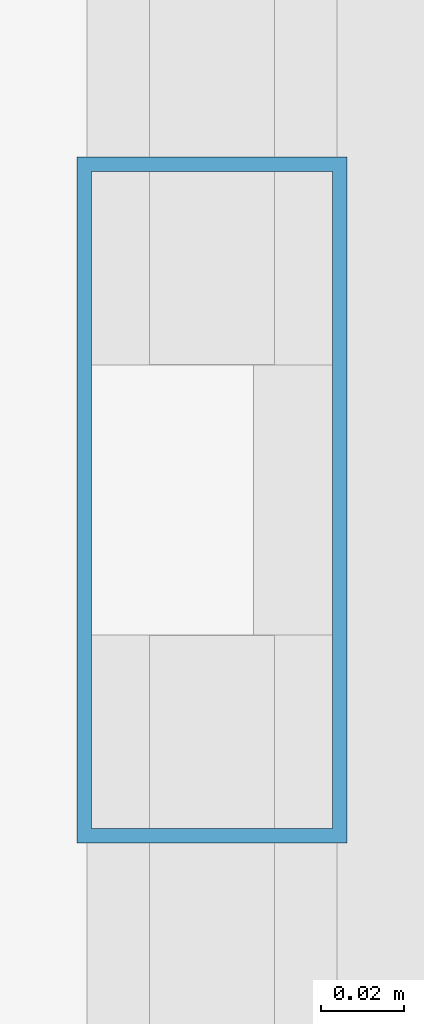
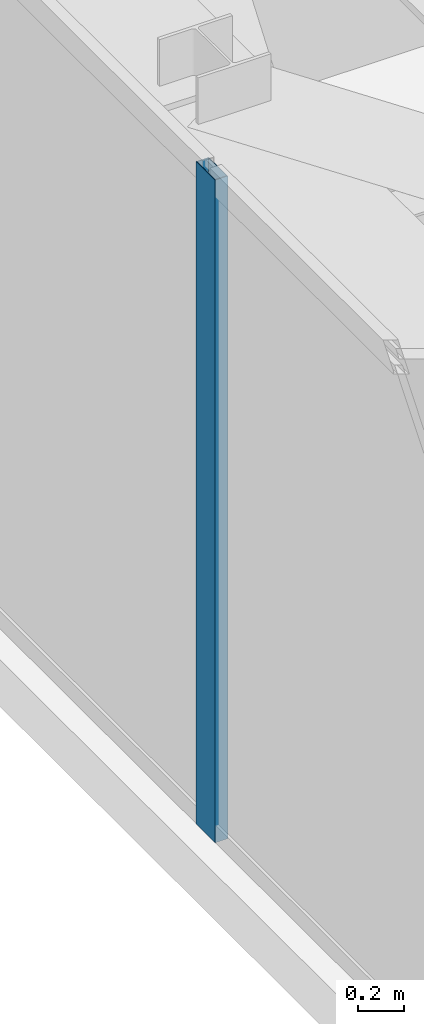
# One storey, part 10 of 23: 1 member, 1 element without a shape of its own.
"""IFC4 building model written with IfcOpenShell, lengths in metres."""

from ifc_helpers import new_model, si_unit, direction, frame, origin, origin_2d, place, context, subcontext, project, spatial, hollow_rectangle, extrude, source, transform, mapped, material, layer, layer_set, material_profile, profile_set, type_object, type_shapes, element, aggregate, save


model = new_model("IFC4")

# Units and contexts
model_context = context("Model", 3, precision=1e-05, world=origin(), true_north=direction((0.0, 1.0)))
body_context = subcontext(model_context, "Body", "Model", "MODEL_VIEW")
ifc_project = project(units=[si_unit("LENGTHUNIT", "METRE"), si_unit("AREAUNIT", "SQUARE_METRE"), si_unit("VOLUMEUNIT", "CUBIC_METRE"), si_unit("PLANEANGLEUNIT", "RADIAN"), si_unit("MASSUNIT", "GRAM", prefix="KILO")], contexts=[model_context])

# Site, building, storey
site_placement = place(None, origin())
site = spatial("IfcSite", under=ifc_project, at=site_placement, CompositionType="ELEMENT")
building_placement = place(site_placement, origin())
building = spatial("IfcBuilding", under=site, at=building_placement, Name="Varnel Quay Broadcast Tower", CompositionType="ELEMENT")
storey_placement = place(building_placement, frame((0.0, 0.0, 254.60009765625)))
storey = spatial("IfcBuildingStorey", under=building, at=storey_placement, Name="L63", CompositionType="ELEMENT", Elevation=254.60009765625)

# Curtain wall, member
ifc_material = material(Name="Anodised Bronze Aluminium 6063-T6", Category="aluminium")
ifc_layer = layer(ifc_material, 0.18994140625, Name="Anodised Bronze Aluminium 6063-T6")
ifc_layer_set = layer_set([ifc_layer], Name="Anodised Bronze Aluminium 6063-T6")
curtain_wall_type = type_object("IfcCurtainWallType", Name="CW_UpperTower", PredefinedType="NOTDEFINED", material=ifc_layer_set)
curtain_wall_placement = place(storey_placement, origin())
curtain_wall = element("IfcCurtainWall", 1, at=curtain_wall_placement, inside=storey, type_object=curtain_wall_type, Name="L63 West Unitised Curtain Wall", PredefinedType="NOTDEFINED")
ifc_material_profile = material_profile(ifc_material, hollow_rectangle(XDim=0.06494140625, YDim=0.1650390625, WallThickness=0.00341796875, at=origin_2d()), Name="ALU65X165X3.5")
ifc_profile_set = profile_set([ifc_material_profile], Name="Anodised Bronze Aluminium 6063-T6")
member_type = type_object("IfcMemberType", Name="Mull_CWS-03", PredefinedType="MULLION", material=ifc_profile_set)
shared_shape = source(origin(), body_context, "Body", "SweptSolid", [
    extrude(hollow_rectangle(XDim=0.06494140625, YDim=0.1650390625, WallThickness=0.00341796875, at=origin_2d()), origin(), (0.0, 0.0, 1.0), 3.5498046875),
])
type_shapes(member_type, [shared_shape])
member_placement = place(storey_placement, frame((9.64990234375, 28.5, 0.0), z_axis=(0.0, 0.0, 1.0), x_axis=(-1.0, 0.0, 0.0)))
member = element("IfcMember", 2, at=member_placement, type_object=member_type, Name="CWS-03 mullion 2", PredefinedType="MULLION", context=body_context, shape_type="MappedRepresentation", body=[
    mapped(shared_shape, transform((0.0, 0.0, 0.0), x_axis=(1.0, 0.0, 0.0), y_axis=(0.0, 1.0, 0.0), z_axis=(0.0, 0.0, 1.0), scale=1.0)),
])
aggregate(curtain_wall, [member])

save(model, "model.ifc")
